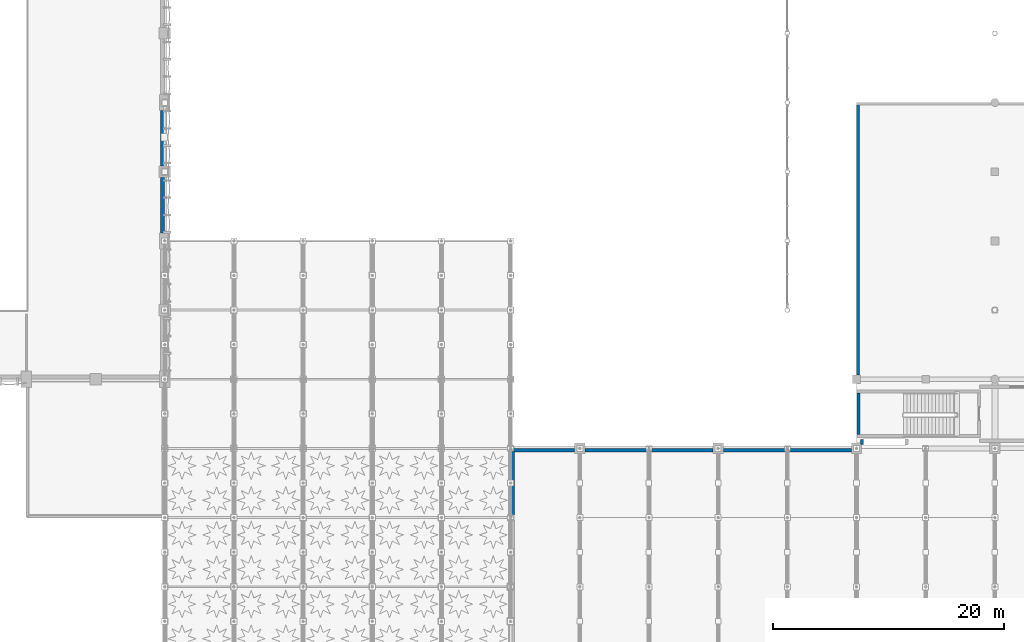
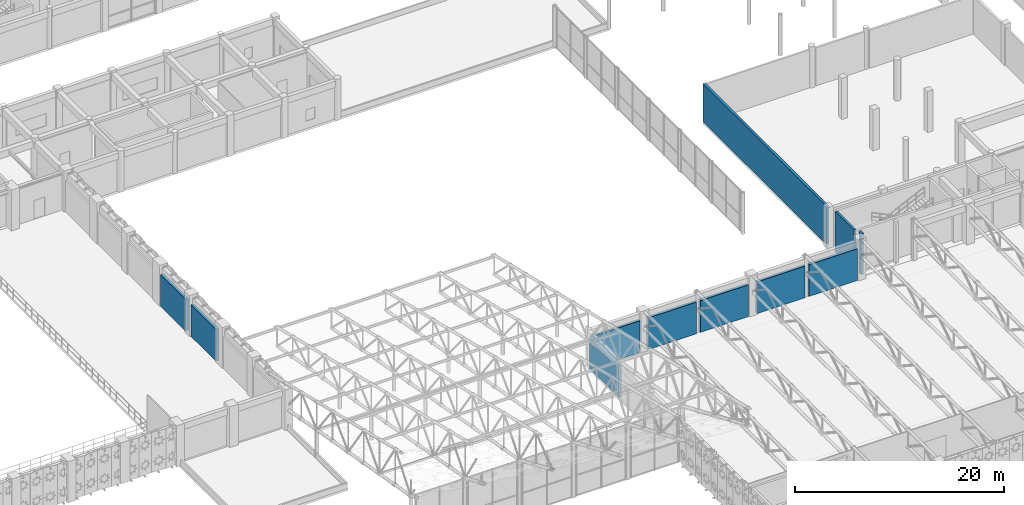
# One storey, part 97 of 123: 11 walls.
"""IFC4 building model written with IfcOpenShell, lengths in metres."""

from ifc_helpers import new_model, si_unit, direction, frame, frame_2d, origin, place, context, subcontext, project, spatial, rectangle, extrude, material, layer, layer_set, type_object, element, save


model = new_model("IFC4")

# Units and contexts
model_context = context("Model", 3, precision=1e-05, world=origin(), true_north=direction((0.0, 1.0)))
body_context = subcontext(model_context, "Body", "Model", "MODEL_VIEW")
ifc_project = project(units=[si_unit("LENGTHUNIT", "METRE"), si_unit("AREAUNIT", "SQUARE_METRE"), si_unit("VOLUMEUNIT", "CUBIC_METRE"), si_unit("PLANEANGLEUNIT", "RADIAN"), si_unit("MASSUNIT", "GRAM", prefix="KILO"), si_unit("THERMODYNAMICTEMPERATUREUNIT", "KELVIN"), si_unit("POWERUNIT", "WATT")], contexts=[model_context])

# Site, building, storey
site_placement = place(None, origin())
site = spatial("IfcSite", under=ifc_project, at=site_placement, CompositionType="ELEMENT")
building_placement = place(site_placement, origin())
building = spatial("IfcBuilding", under=site, at=building_placement, Name="Phaisarnlok Congress Hotel", CompositionType="ELEMENT")
storey_placement = place(building_placement, frame((0.0, 0.0, 15.0)))
storey = spatial("IfcBuildingStorey", under=building, at=storey_placement, Name="L03", CompositionType="ELEMENT", Elevation=15.0)

# Walls
ifc_material_1 = material(Name="Concrete C40/50", Category="concrete")
ifc_layer_1 = layer(ifc_material_1, 0.27001953125, Name="Concrete C40/50")
ifc_layer_set_1 = layer_set([ifc_layer_1], Name="Concrete C40/50")
wall_type_1 = type_object("IfcWallType", Name="WL-EXT-270", PredefinedType="SOLIDWALL", material=ifc_layer_set_1)
wall_1_placement = place(storey_placement, frame((126.135009765625, 66.0, 0.0), z_axis=(0.0, 0.0, 1.0), x_axis=(0.0, -1.0, 0.0)))
element("IfcWall", 1, at=wall_1_placement, inside=storey, type_object=wall_type_1, Name="Exterior wall EW-04 (L03)", PredefinedType="SOLIDWALL", context=body_context, shape_type="SweptSolid", body=[
    extrude(rectangle(XDim=23.64501953125, YDim=0.27001953125, at=frame_2d((11.822509765625, 0.0))), origin(), (0.0, 0.0, 1.0), 4.449951171875),
])
ifc_layer_2 = layer(ifc_material_1, 0.320068359375, Name="Concrete C40/50")
ifc_layer_set_2 = layer_set([ifc_layer_2], Name="Concrete C40/50")
wall_type_2 = type_object("IfcWallType", Name="WL-EXT-320", PredefinedType="SOLIDWALL", material=ifc_layer_set_2)
for number, where, z_axis, x_axis, name in (
    (2, (125.544921875, 35.840087890625, 0.0), (0.0, 0.0, 1.0), (-1.0, 0.0, 0.0), "Exterior wall EW-02 (L03)"),
    (3, (119.7919921875, 35.840087890625, 0.0), (0.0, 0.0, 1.0), (-1.0, 0.0, 0.0), "Exterior wall EW-02 (L03)"),
    (4, (113.544921875, 35.840087890625, 0.0), (0.0, 0.0, 1.0), (-1.0, 0.0, 0.0), "Exterior wall EW-02 (L03)"),
    (5, (107.7919921875, 35.840087890625, 0.0), (0.0, 0.0, 1.0), (-1.0, 0.0, 0.0), "Exterior wall EW-02 (L03)"),
    (6, (101.544921875, 35.840087890625, 0.0), (0.0, 0.0, 1.0), (-1.0, 0.0, 0.0), "Exterior wall EW-02 (L03)"),
):
    element("IfcWall", number, at=place(storey_placement, frame(where, z_axis=z_axis, x_axis=x_axis)), inside=storey, type_object=wall_type_2, Name=name, PredefinedType="SOLIDWALL", context=body_context, shape_type="SweptSolid", body=[
        extrude(rectangle(XDim=5.3369140625, YDim=0.320068359375, at=frame_2d((2.66845703125, 0.0))), origin(), (0.0, 0.0, 1.0), 3.699951171875),
    ])
wall_2_placement = place(storey_placement, frame((96.159912109375, 35.787109375, 0.0), z_axis=(0.0, 0.0, 1.0), x_axis=(0.0, -1.0, 0.0)))
element("IfcWall", 7, at=wall_2_placement, inside=storey, type_object=wall_type_2, Name="Exterior wall EW-02 (L03)", PredefinedType="SOLIDWALL", context=body_context, shape_type="SweptSolid", body=[
    extrude(rectangle(XDim=5.57421875, YDim=0.320068359375, at=frame_2d((2.787109375, 0.0))), origin(), (0.0, 0.0, 1.0), 3.699951171875),
])
ifc_layer_3 = layer(ifc_material_1, 0.360107421875, Name="Concrete C40/50")
ifc_layer_set_3 = layer_set([ifc_layer_3], Name="Concrete C40/50")
wall_type_3 = type_object("IfcWallType", Name="WL-EXT-360", PredefinedType="SOLIDWALL", material=ifc_layer_set_3)
for number, where, z_axis, x_axis, name in (
    (8, (65.820068359375, 54.705078125, 0.0), (0.0, 0.0, 1.0), (0.0, 1.0, 0.0), "Exterior wall EW-01 (L03)"),
    (9, (65.820068359375, 60.5048828125, 0.0), (0.0, 0.0, 1.0), (0.0, 1.0, 0.0), "Exterior wall EW-01 (L03)"),
):
    element("IfcWall", number, at=place(storey_placement, frame(where, z_axis=z_axis, x_axis=x_axis)), inside=storey, type_object=wall_type_3, Name=name, PredefinedType="SOLIDWALL", context=body_context, shape_type="SweptSolid", body=[
        extrude(rectangle(XDim=4.7900390625, YDim=0.360107421875, at=frame_2d((2.39501953125, 0.0))), origin(), (0.0, 0.0, 1.0), 3.699951171875),
    ])
ifc_material_2 = material(Name="Concrete C50/60", Category="concrete")
ifc_layer_4 = layer(ifc_material_2, 0.260009765625, Name="Concrete C50/60")
ifc_layer_set_4 = layer_set([ifc_layer_4], Name="Concrete C50/60")
wall_type_4 = type_object("IfcWallType", Name="WL-SHR-260", PredefinedType="SHEAR", material=ifc_layer_set_4)
wall_3_placement = place(storey_placement, frame((126.469970703125, 36.330078125, 0.0), z_axis=(0.0, 0.0, 1.0), x_axis=(0.0, 1.0, 0.0)))
element("IfcWall", 10, at=wall_3_placement, inside=storey, type_object=wall_type_4, Name="Service riser shaft wall SW-04 (CORE-6 L03)", PredefinedType="SHEAR", context=body_context, shape_type="SweptSolid", body=[
    extrude(rectangle(XDim=0.43994140625, YDim=0.260009765625, at=frame_2d((0.219970703125, 0.0))), origin(), (0.0, 0.0, 1.0), 4.800048828125),
])
ifc_layer_5 = layer(ifc_material_2, 0.260009765625, Name="Concrete C50/60")
ifc_layer_set_5 = layer_set([ifc_layer_5], Name="Concrete C50/60")
wall_type_5 = type_object("IfcWallType", Name="WL-SHR-260-EXT", PredefinedType="SHEAR", material=ifc_layer_set_5)
wall_4_placement = place(storey_placement, frame((126.169921875, 37.199951171875, 0.0), z_axis=(0.0, 0.0, 1.0), x_axis=(0.0, 1.0, 0.0)))
element("IfcWall", 11, at=wall_4_placement, inside=storey, type_object=wall_type_5, Name="Stair shaft shear wall SW-04E (CORE-6 L03)", PredefinedType="SHEAR", context=body_context, shape_type="SweptSolid", body=[
    extrude(rectangle(XDim=3.60009765625, YDim=0.260009765625, at=frame_2d((1.800048828125, 0.0))), origin(), (0.0, 0.0, 1.0), 4.800048828125),
])

save(model, "model.ifc")
